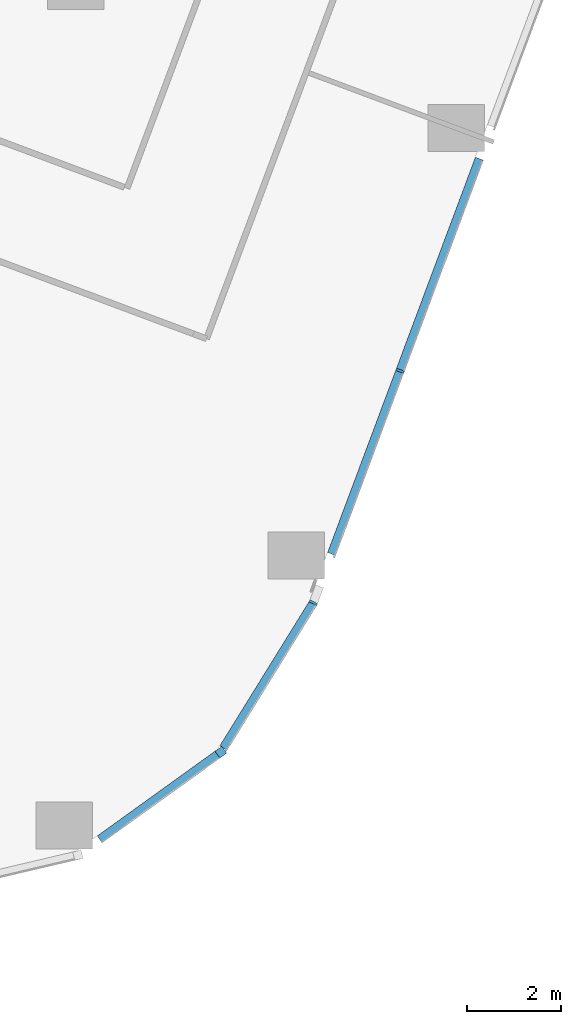
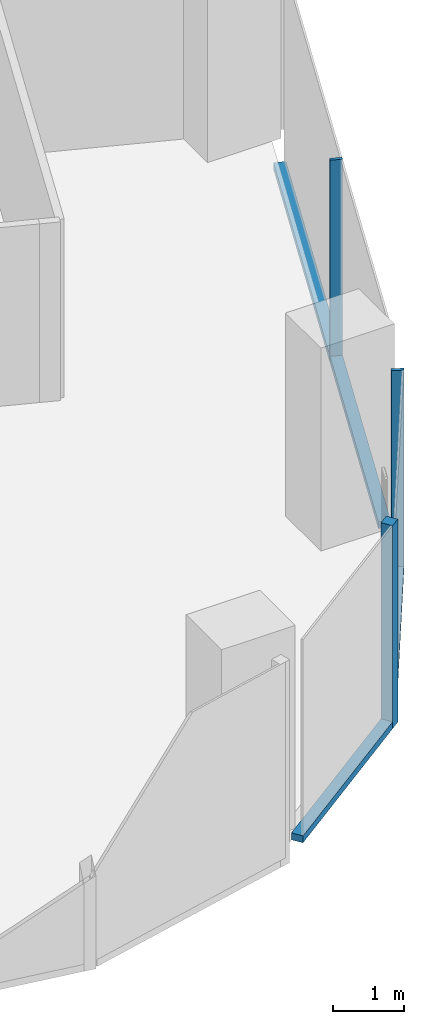
# One storey, part 9 of 31: 6 members, 3 elements without a shape of their own.
"""IFC4 building model written with IfcOpenShell, lengths in metres."""

from ifc_helpers import new_model, si_unit, direction, frame, origin, origin_2d, place, context, subcontext, project, spatial, rectangle, extrude, material, material_profile, profile_set, type_object, element, aggregate, save


model = new_model("IFC4")

# Units and contexts
model_context = context("Model", 3, precision=1e-05, world=origin(), true_north=direction((0.0, 1.0)))
body_context = subcontext(model_context, "Body", "Model", "MODEL_VIEW")
ifc_project = project(units=[si_unit("LENGTHUNIT", "METRE"), si_unit("AREAUNIT", "SQUARE_METRE"), si_unit("VOLUMEUNIT", "CUBIC_METRE"), si_unit("PLANEANGLEUNIT", "RADIAN"), si_unit("MASSUNIT", "GRAM", prefix="KILO")], contexts=[model_context])

# Site, building, storey
site_placement = place(None, origin())
site = spatial("IfcSite", under=ifc_project, at=site_placement, CompositionType="ELEMENT")
building_placement = place(site_placement, origin())
building = spatial("IfcBuilding", under=site, at=building_placement, Name="Orlundy Tower", CompositionType="ELEMENT")
storey_placement = place(building_placement, frame((0.0, 0.0, 84.199951171875)))
storey = spatial("IfcBuildingStorey", under=building, at=storey_placement, Name="L20", CompositionType="ELEMENT", Elevation=84.199951171875)

# Curtain wall, member
ifc_material_1 = material(Name="Aluminium bronze anodised", Category="aluminium")
curtain_wall_type = type_object("IfcCurtainWallType", Name="CW1 wall", PredefinedType="NOTDEFINED", material=ifc_material_1)
curtain_wall_1_placement = place(storey_placement, origin())
curtain_wall_1 = element("IfcCurtainWall", 1, at=curtain_wall_1_placement, inside=storey, type_object=curtain_wall_type, Name="CW1 run 013", PredefinedType="NOTDEFINED")
ifc_material_2 = material(Name="Aluminium bronze anodised", Category="aluminium")
ifc_material_profile_1 = material_profile(ifc_material_2, rectangle(XDim=0.179931640625, YDim=0.179931640625, at=origin_2d()), Name="CW1 corner post 180x180")
ifc_profile_set_1 = profile_set([ifc_material_profile_1], Name="Aluminium bronze anodised")
member_type_1 = type_object("IfcMemberType", Name="CW1 corner post 180x180", PredefinedType="MULLION", material=ifc_profile_set_1)
member_1_placement = place(storey_placement, frame((50.171142578125, -33.886474609375, -0.39990234375), z_axis=(0.0, 0.0, 1.0), x_axis=(0.584347367051, -0.811503638082, 0.0)))
member_1 = element("IfcMember", 2, at=member_1_placement, type_object=member_type_1, Name="CW1 mullion 41", PredefinedType="MULLION", context=body_context, shape_type="SweptSolid", body=[
    extrude(rectangle(XDim=0.179931640625, YDim=0.179931640625, at=origin_2d()), origin(), (0.0, 0.0, 1.0), 3.5),
])

curtain_wall_2_placement = place(storey_placement, origin())
curtain_wall_2 = element("IfcCurtainWall", 3, at=curtain_wall_2_placement, inside=storey, type_object=curtain_wall_type, Name="CW1 run 011", PredefinedType="NOTDEFINED")
ifc_material_3 = material(Name="Aluminium bronze anodised", Category="aluminium")
ifc_material_profile_2 = material_profile(ifc_material_3, rectangle(XDim=0.179931640625, YDim=0.050048828125, at=origin_2d()), Name="CW1 mullion 50x180")
ifc_profile_set_2 = profile_set([ifc_material_profile_2], Name="Aluminium bronze anodised")
member_type_2 = type_object("IfcMemberType", Name="CW1 mullion 50x180", PredefinedType="MULLION", material=ifc_profile_set_2)
member_2_placement = place(storey_placement, frame((53.977783203125, -25.7861328125, -0.39990234375), z_axis=(0.0, 0.0, 1.0), x_axis=(0.936677057252, -0.350194360916, 0.0)))
member_2 = element("IfcMember", 4, at=member_2_placement, type_object=member_type_2, Name="CW1 mullion 39", PredefinedType="MULLION", context=body_context, shape_type="SweptSolid", body=[
    extrude(rectangle(XDim=0.179931640625, YDim=0.050048828125, at=origin_2d()), origin(), (0.0, 0.0, 1.0), 3.5),
])

curtain_wall_3_placement = place(storey_placement, origin())
curtain_wall_3 = element("IfcCurtainWall", 5, at=curtain_wall_3_placement, inside=storey, type_object=curtain_wall_type, Name="CW1 run 012", PredefinedType="NOTDEFINED")
member_3_placement = place(storey_placement, frame((52.13623046875, -30.7119140625, -0.39990234375), z_axis=(0.0, 0.0, 1.0), x_axis=(0.897814185367, -0.44037448672, 0.0)))
member_3 = element("IfcMember", 6, at=member_3_placement, type_object=member_type_2, Name="CW1 mullion 40", PredefinedType="MULLION", context=body_context, shape_type="SweptSolid", body=[
    extrude(rectangle(XDim=0.179931640625, YDim=0.050048828125, at=origin_2d()), origin(), (0.0, 0.0, 1.0), 3.5),
])

# Member
ifc_material_4 = material(Name="Aluminium bronze anodised", Category="aluminium")
ifc_material_profile_3 = material_profile(ifc_material_4, rectangle(XDim=0.179931640625, YDim=0.1201171875, at=origin_2d()), Name="CW1 transom 180x120")
ifc_profile_set_3 = profile_set([ifc_material_profile_3], Name="Aluminium bronze anodised")
member_type_3 = type_object("IfcMemberType", Name="CW1 transom 180x120", PredefinedType="USERDEFINED", material=ifc_profile_set_3)
member_4_placement = place(storey_placement, frame((55.66357421875, -21.277099609375, -0.33984375), z_axis=(-0.350201406125, -0.936674423238, 0.0), x_axis=(0.936674423238, -0.350201406125, 0.0)))
member_4 = element("IfcMember", 7, at=member_4_placement, type_object=member_type_3, Name="CW1 transom", ObjectType="TRANSOM", PredefinedType="USERDEFINED", context=body_context, shape_type="SweptSolid", body=[
    extrude(rectangle(XDim=0.179931640625, YDim=0.1201171875, at=origin_2d()), origin(), (0.0, 0.0, 1.0), 8.968017578125),
])

aggregate(curtain_wall_2, [member_2, member_4])

member_5_placement = place(storey_placement, frame((52.123046875, -30.733154296875, -0.33984375), z_axis=(-0.526317375067, -0.850288198614, 0.0), x_axis=(0.850288198614, -0.526317375067, 0.0)))
member_5 = element("IfcMember", 8, at=member_5_placement, type_object=member_type_3, Name="CW1 transom", ObjectType="TRANSOM", PredefinedType="USERDEFINED", context=body_context, shape_type="SweptSolid", body=[
    extrude(rectangle(XDim=0.179931640625, YDim=0.1201171875, at=origin_2d()), origin(), (0.0, 0.0, 1.0), 3.611083984375),
])

aggregate(curtain_wall_3, [member_3, member_5])

member_6_placement = place(storey_placement, frame((50.09814453125, -33.939208984375, -0.33984375), z_axis=(-0.811511804661, -0.58433602567, 0.0), x_axis=(0.58433602567, -0.811511804661, 0.0)))
member_6 = element("IfcMember", 9, at=member_6_placement, type_object=member_type_3, Name="CW1 transom", ObjectType="TRANSOM", PredefinedType="USERDEFINED", context=body_context, shape_type="SweptSolid", body=[
    extrude(rectangle(XDim=0.179931640625, YDim=0.1201171875, at=origin_2d()), origin(), (0.0, 0.0, 1.0), 3.082275390625),
])

aggregate(curtain_wall_1, [member_1, member_6])

save(model, "model.ifc")
